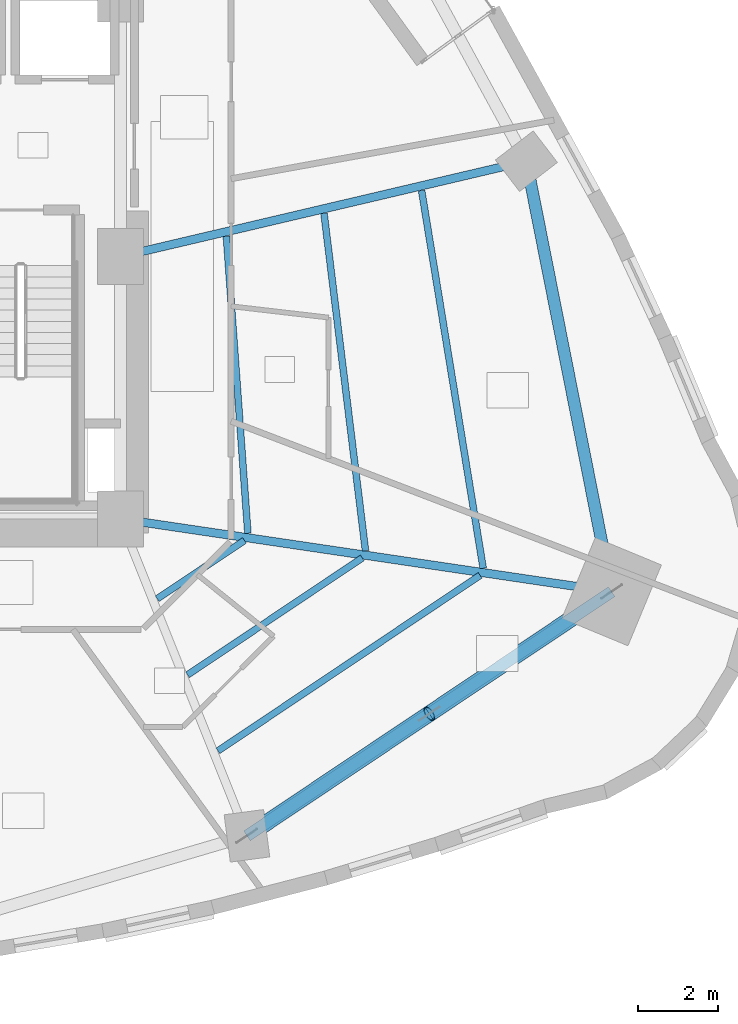
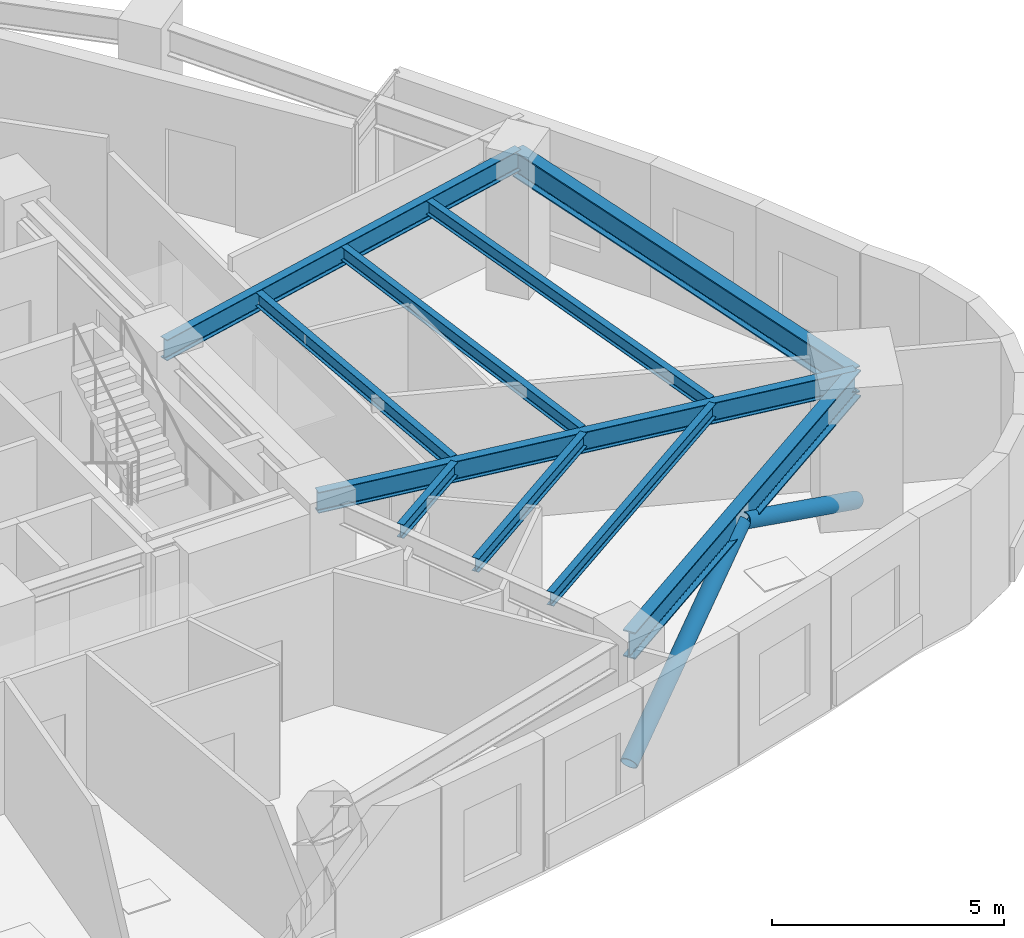
# One storey, part 3 of 15: 10 beams, 2 members.
"""IFC4 building model written with IfcOpenShell, lengths in metres."""

from ifc_helpers import new_model, si_unit, direction, frame, origin, origin_2d, place, context, subcontext, project, spatial, hollow_circle, i_section, extrude, material, material_profile, profile_set, type_object, element, save


model = new_model("IFC4")

# Units and contexts
model_context = context("Model", 3, precision=1e-05, world=origin(), true_north=direction((0.0, 1.0)))
body_context = subcontext(model_context, "Body", "Model", "MODEL_VIEW")
ifc_project = project(units=[si_unit("LENGTHUNIT", "METRE"), si_unit("AREAUNIT", "SQUARE_METRE"), si_unit("VOLUMEUNIT", "CUBIC_METRE"), si_unit("PLANEANGLEUNIT", "RADIAN"), si_unit("MASSUNIT", "GRAM", prefix="KILO")], contexts=[model_context])

# Site, building, storey
site_placement = place(None, origin())
site = spatial("IfcSite", under=ifc_project, at=site_placement, CompositionType="ELEMENT")
building_placement = place(site_placement, origin())
building = spatial("IfcBuilding", under=site, at=building_placement, Name="Ndelora Gate Hotel", CompositionType="ELEMENT")
storey_placement = place(building_placement, frame((0.0, 0.0, 56.75)))
storey = spatial("IfcBuildingStorey", under=building, at=storey_placement, Name="L13", CompositionType="ELEMENT", Elevation=56.75)

# Beams
ifc_material = material(Name="Steel S355", Category="steel")
ifc_material_profile_1 = material_profile(ifc_material, i_section(OverallWidth=0.169921875, OverallDepth=0.360107421875, WebThickness=0.008056640625, FlangeThickness=0.0126953125, FilletRadius=0.01806640625, at=origin_2d()), Name="IPE 360")
ifc_profile_set_1 = profile_set([ifc_material_profile_1], Name="Steel S355")
beam_type_1 = type_object("IfcBeamType", Name="BM-JST-360", PredefinedType="JOIST", material=ifc_profile_set_1)
beam_1_placement = place(storey_placement, frame((8.922119140625, -8.608154296875, 3.320068359375), z_axis=(0.830952990267, 0.556342635402, 0.0), x_axis=(-0.556342635402, 0.830952990267, 0.0)))
element("IfcBeam", 1, at=beam_1_placement, inside=storey, type_object=beam_type_1, Name="L13 Secondary Composite Floor Joist IN-8", PredefinedType="JOIST", context=body_context, shape_type="SweptSolid", body=[
    extrude(i_section(OverallWidth=0.169921875, OverallDepth=0.360107421875, WebThickness=0.008056640625, FlangeThickness=0.0126953125, FilletRadius=0.01806640625, at=origin_2d()), origin(), (0.0, 0.0, 1.0), 2.6396484375),
])
beam_2_placement = place(storey_placement, frame((9.685302734375, -10.520751953125, 3.320068359375), z_axis=(0.83093347578, 0.556371781121, 0.0), x_axis=(-0.556371781121, 0.83093347578, 0.0)))
element("IfcBeam", 2, at=beam_2_placement, inside=storey, type_object=beam_type_1, Name="L13 Secondary Composite Floor Joist MID-8", PredefinedType="JOIST", context=body_context, shape_type="SweptSolid", body=[
    extrude(i_section(OverallWidth=0.169921875, OverallDepth=0.360107421875, WebThickness=0.008056640625, FlangeThickness=0.0126953125, FilletRadius=0.01806640625, at=origin_2d()), origin(), (0.0, 0.0, 1.0), 5.2880859375),
])
beam_3_placement = place(storey_placement, frame((10.448486328125, -12.433349609375, 3.320068359375), z_axis=(0.830936507521, 0.556367253231, 0.0), x_axis=(-0.556367253231, 0.830936507521, 0.0)))
element("IfcBeam", 3, at=beam_3_placement, inside=storey, type_object=beam_type_1, Name="L13 Secondary Composite Floor Joist OUT-8", PredefinedType="JOIST", context=body_context, shape_type="SweptSolid", body=[
    extrude(i_section(OverallWidth=0.169921875, OverallDepth=0.360107421875, WebThickness=0.008056640625, FlangeThickness=0.0126953125, FilletRadius=0.01806640625, at=origin_2d()), origin(), (0.0, 0.0, 1.0), 7.936767578125),
])
beam_4_placement = place(storey_placement, frame((11.20263671875, -6.9609375, 3.320068359375), z_axis=(-0.072176031603, 0.997391909162, 0.0), x_axis=(-0.997391909162, -0.072176031603, 0.0)))
element("IfcBeam", 4, at=beam_4_placement, inside=storey, type_object=beam_type_1, Name="L13 Secondary Composite Floor Joist IN-9", PredefinedType="JOIST", context=body_context, shape_type="SweptSolid", body=[
    extrude(i_section(OverallWidth=0.169921875, OverallDepth=0.360107421875, WebThickness=0.008056640625, FlangeThickness=0.0126953125, FilletRadius=0.01806640625, at=origin_2d()), origin(), (0.0, 0.0, 1.0), 7.489013671875),
])
beam_5_placement = place(storey_placement, frame((14.160888671875, -7.400390625, 3.320068359375), z_axis=(-0.122030984704, 0.992526291225, 0.0), x_axis=(-0.992526291225, -0.122030984704, 0.0)))
element("IfcBeam", 5, at=beam_5_placement, inside=storey, type_object=beam_type_1, Name="L13 Secondary Composite Floor Joist MID-9", PredefinedType="JOIST", context=body_context, shape_type="SweptSolid", body=[
    extrude(i_section(OverallWidth=0.169921875, OverallDepth=0.360107421875, WebThickness=0.008056640625, FlangeThickness=0.0126953125, FilletRadius=0.01806640625, at=origin_2d()), origin(), (0.0, 0.0, 1.0), 8.548828125),
])
beam_6_placement = place(storey_placement, frame((17.12060546875, -7.840087890625, 3.320068359375), z_axis=(-0.160901992796, 0.986970388975, 0.0), x_axis=(-0.986970388975, -0.160901992796, 0.0)))
element("IfcBeam", 6, at=beam_6_placement, inside=storey, type_object=beam_type_1, Name="L13 Secondary Composite Floor Joist OUT-9", PredefinedType="JOIST", context=body_context, shape_type="SweptSolid", body=[
    extrude(i_section(OverallWidth=0.169921875, OverallDepth=0.360107421875, WebThickness=0.008056640625, FlangeThickness=0.0126953125, FilletRadius=0.01806640625, at=origin_2d()), origin(), (0.0, 0.0, 1.0), 9.6259765625),
])
ifc_material_profile_2 = material_profile(ifc_material, i_section(OverallWidth=0.2099609375, OverallDepth=0.550048828125, WebThickness=0.010986328125, FlangeThickness=0.01708984375, FilletRadius=0.02392578125, at=origin_2d()), Name="IPE 550")
ifc_profile_set_2 = profile_set([ifc_material_profile_2], Name="Steel S355")
beam_type_2 = type_object("IfcBeamType", Name="BM-RAD-550", PredefinedType="BEAM", material=ifc_profile_set_2)
beam_7_placement = place(storey_placement, frame((8.0, -6.60009765625, 3.22509765625), z_axis=(0.989209761041, -0.146506138649, 0.0), x_axis=(0.146506138649, 0.989209761041, 0.0)))
element("IfcBeam", 7, at=beam_7_placement, inside=storey, type_object=beam_type_2, Name="L13 Radial Floor Girder 9", PredefinedType="BEAM", context=body_context, shape_type="SweptSolid", body=[
    extrude(i_section(OverallWidth=0.2099609375, OverallDepth=0.550048828125, WebThickness=0.010986328125, FlangeThickness=0.01708984375, FilletRadius=0.02392578125, at=origin_2d()), origin(), (0.0, 0.0, 1.0), 12.48486328125),
])
beam_8_placement = place(storey_placement, frame((8.0, 0.0, 3.22509765625), z_axis=(0.973517848051, 0.22861102232, 0.0), x_axis=(-0.22861102232, 0.973517848051, 0.0)))
element("IfcBeam", 8, at=beam_8_placement, inside=storey, type_object=beam_type_2, Name="L13 Radial Floor Girder 10", PredefinedType="BEAM", context=body_context, shape_type="SweptSolid", body=[
    extrude(i_section(OverallWidth=0.2099609375, OverallDepth=0.550048828125, WebThickness=0.010986328125, FlangeThickness=0.01708984375, FilletRadius=0.02392578125, at=origin_2d()), origin(), (0.0, 0.0, 1.0), 10.48486328125),
])
ifc_material_profile_3 = material_profile(ifc_material, i_section(OverallWidth=0.300048828125, OverallDepth=0.699951171875, WebThickness=0.01708984375, FlangeThickness=0.031982421875, FilletRadius=0.027099609375, at=origin_2d()), Name="HEB 700")
ifc_profile_set_3 = profile_set([ifc_material_profile_3], Name="Steel S355")
beam_type_3 = type_object("IfcBeamType", Name="BM-RING-700", PredefinedType="SPANDREL", material=ifc_profile_set_3)
beam_9_placement = place(storey_placement, frame((11.179443359375, -14.5693359375, 3.14990234375), z_axis=(0.830945983886, 0.556353099985, 0.0), x_axis=(-0.556353099985, 0.830945983886, 0.0)))
element("IfcBeam", 9, at=beam_9_placement, inside=storey, type_object=beam_type_3, Name="L13 Perimeter Spandrel Girder 8", PredefinedType="SPANDREL", context=body_context, shape_type="SweptSolid", body=[
    extrude(i_section(OverallWidth=0.300048828125, OverallDepth=0.699951171875, WebThickness=0.01708984375, FlangeThickness=0.031982421875, FilletRadius=0.027099609375, at=origin_2d()), origin(), (0.0, 0.0, 1.0), 11.036376953125),
])
beam_10_placement = place(storey_placement, frame((20.35009765625, -8.42919921875, 3.14990234375), z_axis=(-0.194163071691, 0.980969266385, 0.0), x_axis=(-0.980969266385, -0.194163071691, 0.0)))
element("IfcBeam", 10, at=beam_10_placement, inside=storey, type_object=beam_type_3, Name="L13 Perimeter Spandrel Girder 9", PredefinedType="SPANDREL", context=body_context, shape_type="SweptSolid", body=[
    extrude(i_section(OverallWidth=0.300048828125, OverallDepth=0.699951171875, WebThickness=0.01708984375, FlangeThickness=0.031982421875, FilletRadius=0.027099609375, at=origin_2d()), origin(), (0.0, 0.0, 1.0), 11.0361328125),
])

# Members
ifc_material_profile_4 = material_profile(ifc_material, hollow_circle(Radius=0.202880859375, WallThickness=0.02001953125, at=origin_2d()), Name="CHS 406x20")
ifc_profile_set_4 = profile_set([ifc_material_profile_4], Name="Steel S355")
member_type = type_object("IfcMemberType", Name="MB-TUBE-406", PredefinedType="BRACE", material=ifc_profile_set_4)
for number, where, z_axis, x_axis, name in (
    (11, (11.179443359375, -14.5693359375, 0.02001953125), (0.73391932444, 0.491376610842, 0.468947173496), (-0.556342873424, 0.830952830906, 0.0), "L13 Perimeter Braced-Tube Diagonal 8A"),
    (12, (20.35009765625, -8.42919921875, 0.02001953125), (-0.733901295617, -0.491390702965, 0.468960622368), (0.556363326838, -0.830939136489, 0.0), "L13 Perimeter Braced-Tube Diagonal 8B"),
):
    element("IfcMember", number, at=place(storey_placement, frame(where, z_axis=z_axis, x_axis=x_axis)), inside=storey, type_object=member_type, Name=name, PredefinedType="BRACE", context=body_context, shape_type="SweptSolid", body=[
        extrude(hollow_circle(Radius=0.202880859375, WallThickness=0.02001953125, at=origin_2d()), origin(), (0.0, 0.0, 1.0), 6.247802734375),
    ])

save(model, "model.ifc")
